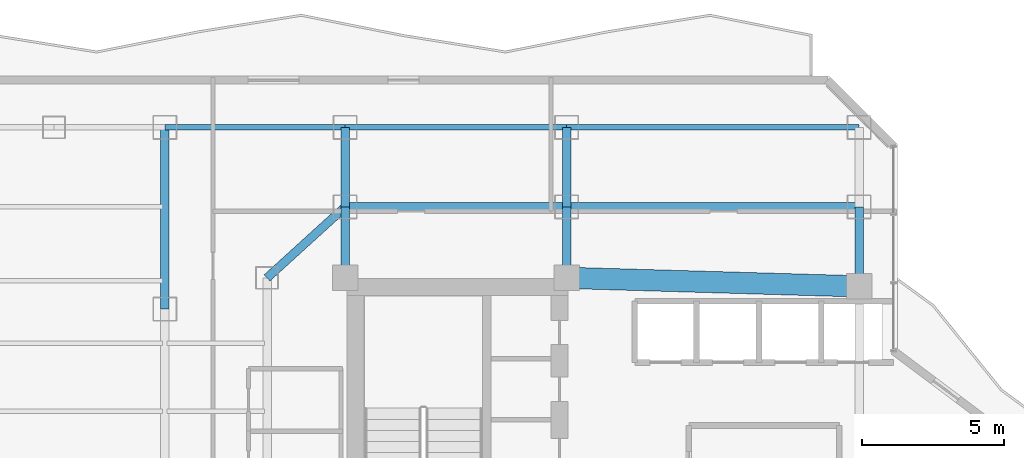
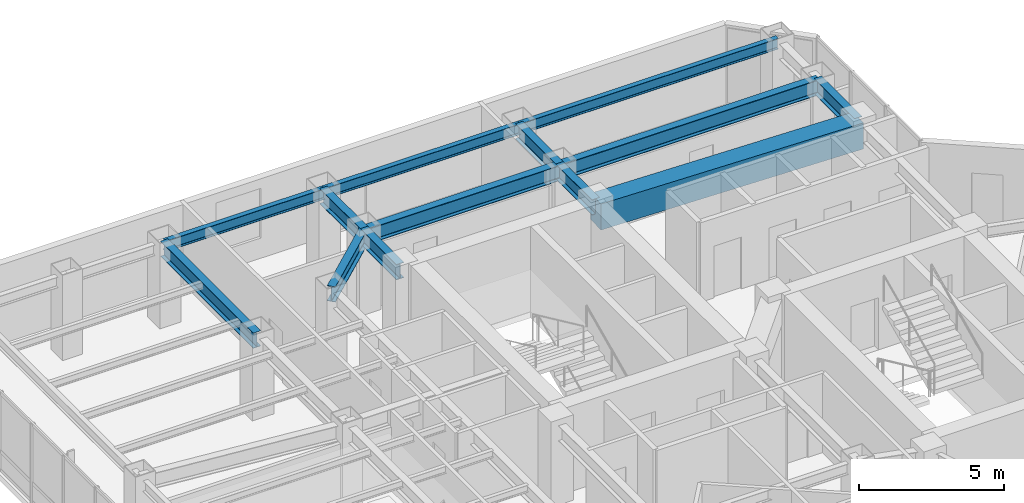
# One storey, part 18 of 28: 13 beams.
"""IFC4 building model written with IfcOpenShell, lengths in metres."""

import ifcopenshell
import ifcopenshell.guid

model = None  # the IFC model being written
_history = None  # IfcOwnerHistory: only IFC2X3 demands one
_inside = {}  # id of a spatial element -> (the spatial element, [elements in it])
_under = {}  # id of a project, library or spatial element -> (it, [spatial elements below it])
_declared = {}  # id of a project -> (the project, [libraries it declares])
_typed = {}  # id of a type object -> (the type object, [elements of that type])
_made_of = {}  # id of a material, layer set ... -> (it, [elements and type objects made of it])


def new_model(schema):
    """Start an empty IFC model of exactly this schema.

    Asked for "IFC4X3", IfcOpenShell would pick the latest addendum, in which some entities
    have other attributes; the version numbers below select the first issue.
    IFC2X3 requires an IfcOwnerHistory on every rooted entity: one is made here for all.
    """
    global model, _history
    if schema == "IFC4X3":
        model = ifcopenshell.file(schema_version=(4, 3, 0, 0))
    else:
        model = ifcopenshell.file(schema=schema)
    _inside.clear()
    _under.clear()
    _declared.clear()
    _typed.clear()
    _made_of.clear()
    _history = None
    if model.schema == "IFC2X3":
        org = make("IfcOrganization", Name="unknown")
        user = make(
            "IfcPersonAndOrganization",
            ThePerson=make("IfcPerson", FamilyName="unknown"),
            TheOrganization=org,
        )
        app = make(
            "IfcApplication",
            ApplicationDeveloper=org,
            Version="unknown",
            ApplicationFullName="unknown",
            ApplicationIdentifier="unknown",
        )
        _history = make(
            "IfcOwnerHistory",
            OwningUser=user,
            OwningApplication=app,
            ChangeAction="ADDED",
            CreationDate=0,
        )
    return model


def make(cls, **values):
    """One entity of the class cls with the attributes given. An attribute that is None is left unset."""
    return model.create_entity(
        cls, **{name: value for name, value in values.items() if value is not None}
    )


def rooted(cls, **values):
    """An entity with a GlobalId (a new one), such as an element, a storey or a relation."""
    return make(cls, GlobalId=ifcopenshell.guid.new(), OwnerHistory=_history, **values)


def si_unit(unit_type, name, prefix=None):
    """IfcSIUnit, for example si_unit("LENGTHUNIT", "METRE", prefix="MILLI")."""
    return make("IfcSIUnit", UnitType=unit_type, Prefix=prefix, Name=name)


def assignment(units):
    """IfcUnitAssignment: the units of a project."""
    return None if units is None else make("IfcUnitAssignment", Units=units)


def point(xyz):
    """IfcCartesianPoint."""
    return None if xyz is None else make("IfcCartesianPoint", Coordinates=xyz)


def direction(xyz):
    """IfcDirection."""
    return None if xyz is None else make("IfcDirection", DirectionRatios=xyz)


def frame(location, z_axis=None, x_axis=None):
    """IfcAxis2Placement3D, a coordinate frame: its origin and axes. An axis left out is left unset."""
    return make(
        "IfcAxis2Placement3D",
        Location=point(location),
        Axis=direction(z_axis),
        RefDirection=direction(x_axis),
    )


def frame_2d(location, x_axis=None):
    """IfcAxis2Placement2D, a coordinate frame in the plane: its origin and x axis."""
    return make(
        "IfcAxis2Placement2D", Location=point(location), RefDirection=direction(x_axis)
    )


def origin():
    """The frame at (0, 0, 0) with its axes left unset."""
    return frame((0.0, 0.0, 0.0))


def origin_2d():
    """The frame at (0, 0) in the plane with its x axis left unset."""
    return frame_2d((0.0, 0.0))


def place(relative_to, where):
    """IfcLocalPlacement: puts the frame where relative to a parent placement (None: the world)."""
    return make(
        "IfcLocalPlacement", PlacementRelTo=relative_to, RelativePlacement=where
    )


def context(
    kind, dimensions, precision=None, world=None, true_north=None, identifier=None
):
    """IfcGeometricRepresentationContext, for example the 3D "Model" context."""
    return make(
        "IfcGeometricRepresentationContext",
        ContextIdentifier=identifier,
        ContextType=kind,
        CoordinateSpaceDimension=dimensions,
        Precision=precision,
        WorldCoordinateSystem=world,
        TrueNorth=true_north,
    )


def subcontext(parent, identifier, kind, view, scale=None):
    """IfcGeometricRepresentationSubContext, for example "Body" below "Model"."""
    return make(
        "IfcGeometricRepresentationSubContext",
        ContextIdentifier=identifier,
        ContextType=kind,
        ParentContext=parent,
        TargetScale=scale,
        TargetView=view,
    )


def project(units=None, contexts=None):
    """IfcProject with its units and contexts."""
    return rooted(
        "IfcProject",
        Name="project",
        RepresentationContexts=contexts,
        UnitsInContext=assignment(units),
    )


def spatial(cls, under=None, at=None, **own):
    """A site, building, storey or space (cls), placed at a placement, below another one or the project."""
    s = rooted(cls, ObjectPlacement=at, **own)
    if under is not None:
        _under.setdefault(under.id(), (under, []))[1].append(s)
    return s


def profile(cls, at=None, kind="AREA", **sizes):
    """A parametric profile (cls). Its sizes go by their IFC names, for example OverallWidth=200.0."""
    return make(cls, ProfileType=kind, Position=at, **sizes)


def rectangle(**sizes):
    """IfcRectangleProfileDef."""
    return profile("IfcRectangleProfileDef", **sizes)


def i_section(**sizes):
    """IfcIShapeProfileDef."""
    return profile("IfcIShapeProfileDef", **sizes)


def extrude(swept, where, along, depth):
    """IfcExtrudedAreaSolid: the profile swept, set in the frame where, extruded along a direction by depth."""
    return make(
        "IfcExtrudedAreaSolid",
        SweptArea=swept,
        Position=where,
        ExtrudedDirection=direction(along),
        Depth=depth,
    )


def shape(context_of_items, identifier, shape_type, items):
    """IfcShapeRepresentation: the items that make up one representation, for example the "Body"."""
    return make(
        "IfcShapeRepresentation",
        ContextOfItems=context_of_items,
        RepresentationIdentifier=identifier,
        RepresentationType=shape_type,
        Items=items,
    )


def material(Name=None, Category=None):
    """IfcMaterial."""
    return make("IfcMaterial", Name=Name, Category=Category)


def material_profile(
    of_material, cross_section, Name=None, Category=None, Priority=None
):
    """IfcMaterialProfile: a cross section and its material."""
    return make(
        "IfcMaterialProfile",
        Name=Name,
        Material=of_material,
        Profile=cross_section,
        Priority=Priority,
        Category=Category,
    )


def profile_set(profiles, Name=None, composite=None):
    """IfcMaterialProfileSet."""
    return make(
        "IfcMaterialProfileSet",
        Name=Name,
        MaterialProfiles=profiles,
        CompositeProfile=composite,
    )


def made_of(thing, what):
    """Note that an element or type object is made of a material, layer set ...; save() writes the relation."""
    if what is not None:
        _made_of.setdefault(what.id(), (what, []))[1].append(thing)
    return thing


def type_object(cls, material=None, **own):
    """A type object (cls), such as IfcWallType, which elements share."""
    return made_of(rooted(cls, **own), material)


def element(
    cls,
    number,
    at=None,
    inside=None,
    cuts=None,
    type_object=None,
    material=None,
    context=None,
    identifier="Body",
    shape_type=None,
    held_by="IfcProductDefinitionShape",
    body=None,
    shapes=None,
    **own,
):
    """One element of the class cls, such as IfcWall. Its Tag is "e" and its number.

    at: its placement. inside: the storey or other place that contains it. cuts: it is an
    opening in that element (IfcRelVoidsElement). A single representation is given by context,
    identifier, shape_type and body (its items); several are given by shapes. held_by: the class
    of the entity that holds the representations. save() writes the other relations.
    """
    e = rooted(cls, Tag="e%d" % number, ObjectPlacement=at, **own)
    if body is not None:
        shapes = [shape(context, identifier, shape_type, body)]
    if shapes is not None:
        e.Representation = make(held_by, Representations=shapes)
    if inside is not None:
        _inside.setdefault(inside.id(), (inside, []))[1].append(e)
    if cuts is not None:
        rooted(
            "IfcRelVoidsElement", RelatingBuildingElement=cuts, RelatedOpeningElement=e
        )
    if type_object is not None:
        _typed.setdefault(type_object.id(), (type_object, []))[1].append(e)
    return made_of(e, material)


def aggregate(whole, parts):
    """IfcRelAggregates: a whole, such as a stair, and the parts it consists of."""
    return rooted("IfcRelAggregates", RelatingObject=whole, RelatedObjects=parts)


def save(model, path):
    """Write the relations noted so far, then the file.

    IfcRelAggregates (storeys below a building ...), IfcRelContainedInSpatialStructure (elements
    in a storey), IfcRelDefinesByType, IfcRelAssociatesMaterial and IfcRelDeclares: one each for
    every whole, place, type object, material and project.
    """
    for whole, parts in _under.values():
        aggregate(whole, parts)
    for where, things in _inside.values():
        rooted(
            "IfcRelContainedInSpatialStructure",
            RelatedElements=things,
            RelatingStructure=where,
        )
    for kind, things in _typed.values():
        rooted("IfcRelDefinesByType", RelatedObjects=things, RelatingType=kind)
    for what, things in _made_of.values():
        rooted("IfcRelAssociatesMaterial", RelatedObjects=things, RelatingMaterial=what)
    for by, libraries in _declared.values():
        rooted("IfcRelDeclares", RelatingContext=by, RelatedDefinitions=libraries)
    model.write(path)


model = new_model("IFC4")

# Units and contexts
model_context = context("Model", 3, precision=1e-05, world=origin(), true_north=direction((0.0, 1.0)))
body_context = subcontext(model_context, "Body", "Model", "MODEL_VIEW")
ifc_project = project(units=[si_unit("LENGTHUNIT", "METRE"), si_unit("AREAUNIT", "SQUARE_METRE"), si_unit("VOLUMEUNIT", "CUBIC_METRE"), si_unit("PLANEANGLEUNIT", "RADIAN"), si_unit("MASSUNIT", "GRAM", prefix="KILO")], contexts=[model_context])

# Site, building, storey
site_placement = place(None, origin())
site = spatial("IfcSite", under=ifc_project, at=site_placement, CompositionType="ELEMENT")
building_placement = place(site_placement, origin())
building = spatial("IfcBuilding", under=site, at=building_placement, Name="Hatsunagi Terrace Concourse", CompositionType="ELEMENT")
storey_placement = place(building_placement, frame((0.0, 0.0, 138.449951171875)))
storey = spatial("IfcBuildingStorey", under=building, at=storey_placement, Name="L36", CompositionType="ELEMENT", Elevation=138.449951171875)

# Beams
ifc_material_1 = material(Name="Concrete Fc48", Category="concrete")
ifc_material_profile_1 = material_profile(ifc_material_1, rectangle(XDim=0.75, YDim=1.10009765625, at=origin_2d()), Name="RC-750x1100")
ifc_profile_set_1 = profile_set([ifc_material_profile_1], Name="Concrete Fc48")
beam_type_1 = type_object("IfcBeamType", Name="CoreCouplingBeam_RC_750x1100", PredefinedType="BEAM", material=ifc_profile_set_1)
beam_1_placement = place(storey_placement, frame((33.35009765625, 43.300048828125, 2.800048828125), z_axis=(0.999575947545, -0.029119153303, 0.0), x_axis=(0.029119153303, 0.999575947545, 0.0)))
element("IfcBeam", 1, at=beam_1_placement, inside=storey, type_object=beam_type_1, Name="Beam CB-02 CB-L36-2", PredefinedType="BEAM", context=body_context, shape_type="SweptSolid", body=[
    extrude(rectangle(XDim=0.75, YDim=1.10009765625, at=origin_2d()), origin(), (0.0, 0.0, 1.0), 10.30419921875),
])
ifc_material_2 = material(Name="Steel SN490B", Category="steel")
ifc_material_profile_2 = material_profile(ifc_material_2, i_section(OverallWidth=0.300048828125, OverallDepth=0.64990234375, WebThickness=0.012939453125, FlangeThickness=0.02197265625, FilletRadius=0.01806640625, at=origin_2d()), Name="H-650x300x13x22")
ifc_profile_set_2 = profile_set([ifc_material_profile_2], Name="Steel SN490B")
beam_type_2 = type_object("IfcBeamType", Name="OfficeLowGirder_H_650x300", PredefinedType="BEAM", material=ifc_profile_set_2)
for number, where, z_axis, x_axis, name in (
    (2, (25.550048828125, 43.300048828125, 3.025146484375), (0.0, 1.0, 0.0), (-1.0, 0.0, 0.0), "Beam G-05 BM-L36-CN1"),
    (3, (33.35009765625, 43.300048828125, 3.025146484375), (0.0, 1.0, 0.0), (-1.0, 0.0, 0.0), "Beam G-05 BM-L36-CN2"),
):
    element("IfcBeam", number, at=place(storey_placement, frame(where, z_axis=z_axis, x_axis=x_axis)), inside=storey, type_object=beam_type_2, Name=name, PredefinedType="BEAM", context=body_context, shape_type="SweptSolid", body=[
        extrude(i_section(OverallWidth=0.300048828125, OverallDepth=0.64990234375, WebThickness=0.012939453125, FlangeThickness=0.02197265625, FilletRadius=0.01806640625, at=origin_2d()), origin(), (0.0, 0.0, 1.0), 2.5),
    ])
beam_2_placement = place(storey_placement, frame((43.64990234375, 43.0, 3.025146484375), z_axis=(0.0, 1.0, 0.0), x_axis=(-1.0, 0.0, 0.0)))
element("IfcBeam", 4, at=beam_2_placement, inside=storey, type_object=beam_type_2, Name="Beam G-05 BM-L36-CN3", PredefinedType="BEAM", context=body_context, shape_type="SweptSolid", body=[
    extrude(i_section(OverallWidth=0.300048828125, OverallDepth=0.64990234375, WebThickness=0.012939453125, FlangeThickness=0.02197265625, FilletRadius=0.01806640625, at=origin_2d()), origin(), (0.0, 0.0, 1.0), 2.800048828125),
])
beam_3_placement = place(storey_placement, frame((25.550048828125, 45.800048828125, 3.025146484375), z_axis=(1.0, 0.0, 0.0), x_axis=(0.0, 1.0, 0.0)))
element("IfcBeam", 5, at=beam_3_placement, inside=storey, type_object=beam_type_2, Name="Beam G-05 BM-L36-CNEW1", PredefinedType="BEAM", context=body_context, shape_type="SweptSolid", body=[
    extrude(i_section(OverallWidth=0.300048828125, OverallDepth=0.64990234375, WebThickness=0.012939453125, FlangeThickness=0.02197265625, FilletRadius=0.01806640625, at=origin_2d()), origin(), (0.0, 0.0, 1.0), 7.800048828125),
])
beam_4_placement = place(storey_placement, frame((33.35009765625, 45.800048828125, 3.025146484375), z_axis=(1.0, 0.0, 0.0), x_axis=(0.0, 1.0, 0.0)))
element("IfcBeam", 6, at=beam_4_placement, inside=storey, type_object=beam_type_2, Name="Beam G-05 BM-L36-CNEW2", PredefinedType="BEAM", context=body_context, shape_type="SweptSolid", body=[
    extrude(i_section(OverallWidth=0.300048828125, OverallDepth=0.64990234375, WebThickness=0.012939453125, FlangeThickness=0.02197265625, FilletRadius=0.01806640625, at=origin_2d()), origin(), (0.0, 0.0, 1.0), 10.2998046875),
])
for number, where, z_axis, x_axis, name in (
    (7, (25.550048828125, 45.800048828125, 3.025146484375), (0.0, 1.0, 0.0), (-1.0, 0.0, 0.0), "Beam G-05 BM-L36-KN-WN4"),
    (8, (33.35009765625, 45.800048828125, 3.025146484375), (0.0, 1.0, 0.0), (-1.0, 0.0, 0.0), "Beam G-05 BM-L36-KN-WN5"),
):
    element("IfcBeam", number, at=place(storey_placement, frame(where, z_axis=z_axis, x_axis=x_axis)), inside=storey, type_object=beam_type_2, Name=name, PredefinedType="BEAM", context=body_context, shape_type="SweptSolid", body=[
        extrude(i_section(OverallWidth=0.300048828125, OverallDepth=0.64990234375, WebThickness=0.012939453125, FlangeThickness=0.02197265625, FilletRadius=0.01806640625, at=origin_2d()), origin(), (0.0, 0.0, 1.0), 2.800048828125),
    ])
beam_5_placement = place(storey_placement, frame((22.800048828125, 43.300048828125, 3.025146484375), z_axis=(0.739940073396, 0.672672793996, 0.0), x_axis=(-0.672672793996, 0.739940073396, 0.0)))
element("IfcBeam", 9, at=beam_5_placement, inside=storey, type_object=beam_type_2, Name="Beam G-05 BM-L36-CWEW-N", PredefinedType="BEAM", context=body_context, shape_type="SweptSolid", body=[
    extrude(i_section(OverallWidth=0.300048828125, OverallDepth=0.64990234375, WebThickness=0.012939453125, FlangeThickness=0.02197265625, FilletRadius=0.01806640625, at=origin_2d()), origin(), (0.0, 0.0, 1.0), 3.716552734375),
])
beam_6_placement = place(storey_placement, frame((19.199951171875, 42.199951171875, 3.025146484375), z_axis=(0.0, 1.0, 0.0), x_axis=(-1.0, 0.0, 0.0)))
element("IfcBeam", 10, at=beam_6_placement, inside=storey, type_object=beam_type_2, Name="Beam G-05 BM-L36-NS-19-42", PredefinedType="BEAM", context=body_context, shape_type="SweptSolid", body=[
    extrude(i_section(OverallWidth=0.300048828125, OverallDepth=0.64990234375, WebThickness=0.012939453125, FlangeThickness=0.02197265625, FilletRadius=0.01806640625, at=origin_2d()), origin(), (0.0, 0.0, 1.0), 6.400146484375),
])
ifc_material_3 = material(Name="Steel SN490B", Category="steel")
ifc_material_profile_3 = material_profile(ifc_material_3, i_section(OverallWidth=0.199951171875, OverallDepth=0.449951171875, WebThickness=0.009033203125, FlangeThickness=0.013916015625, FilletRadius=0.01611328125, at=origin_2d()), Name="H-450x200x9x14")
ifc_profile_set_3 = profile_set([ifc_material_profile_3], Name="Steel SN490B")
beam_type_3 = type_object("IfcBeamType", Name="PerimeterSpandrel_H_450x200", PredefinedType="SPANDREL", material=ifc_profile_set_3)
beam_7_placement = place(storey_placement, frame((19.199951171875, 48.60009765625, 3.125), z_axis=(1.0, 0.0, 0.0), x_axis=(0.0, 1.0, 0.0)))
element("IfcBeam", 11, at=beam_7_placement, inside=storey, type_object=beam_type_3, Name="Beam SP-02 BM-L36-WN-19", PredefinedType="SPANDREL", context=body_context, shape_type="SweptSolid", body=[
    extrude(i_section(OverallWidth=0.199951171875, OverallDepth=0.449951171875, WebThickness=0.009033203125, FlangeThickness=0.013916015625, FilletRadius=0.01611328125, at=origin_2d()), origin(), (0.0, 0.0, 1.0), 6.35009765625),
])
beam_8_placement = place(storey_placement, frame((25.550048828125, 48.60009765625, 3.125), z_axis=(1.0, 0.0, 0.0), x_axis=(0.0, 1.0, 0.0)))
element("IfcBeam", 12, at=beam_8_placement, inside=storey, type_object=beam_type_3, Name="Beam SP-02 BM-L36-WN-25", PredefinedType="SPANDREL", context=body_context, shape_type="SweptSolid", body=[
    extrude(i_section(OverallWidth=0.199951171875, OverallDepth=0.449951171875, WebThickness=0.009033203125, FlangeThickness=0.013916015625, FilletRadius=0.01611328125, at=origin_2d()), origin(), (0.0, 0.0, 1.0), 7.800048828125),
])
beam_9_placement = place(storey_placement, frame((33.35009765625, 48.60009765625, 3.125), z_axis=(1.0, 0.0, 0.0), x_axis=(0.0, 1.0, 0.0)))
element("IfcBeam", 13, at=beam_9_placement, inside=storey, type_object=beam_type_3, Name="Beam SP-02 BM-L36-WN-33", PredefinedType="SPANDREL", context=body_context, shape_type="SweptSolid", body=[
    extrude(i_section(OverallWidth=0.199951171875, OverallDepth=0.449951171875, WebThickness=0.009033203125, FlangeThickness=0.013916015625, FilletRadius=0.01611328125, at=origin_2d()), origin(), (0.0, 0.0, 1.0), 10.2998046875),
])

save(model, "model.ifc")
